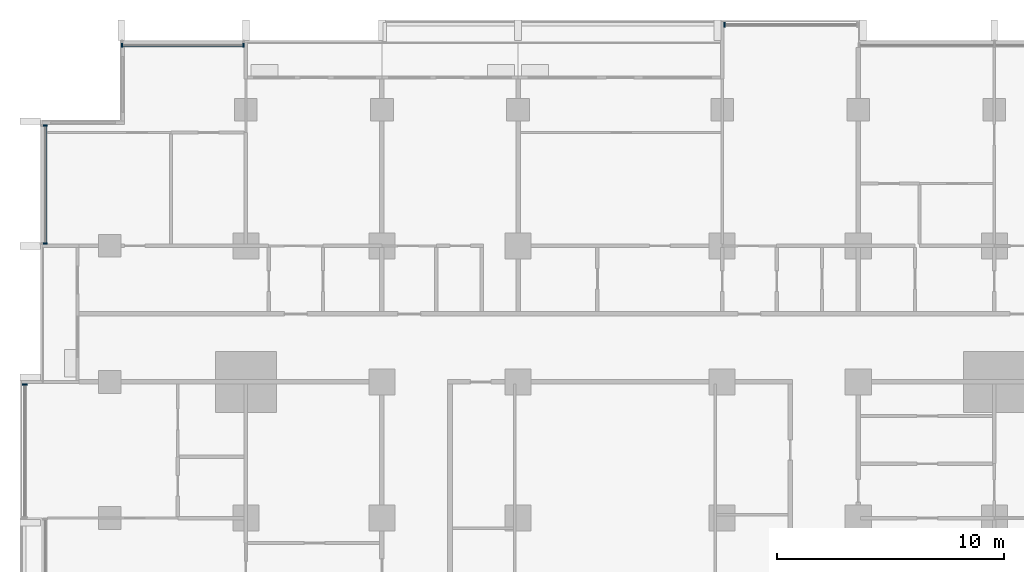
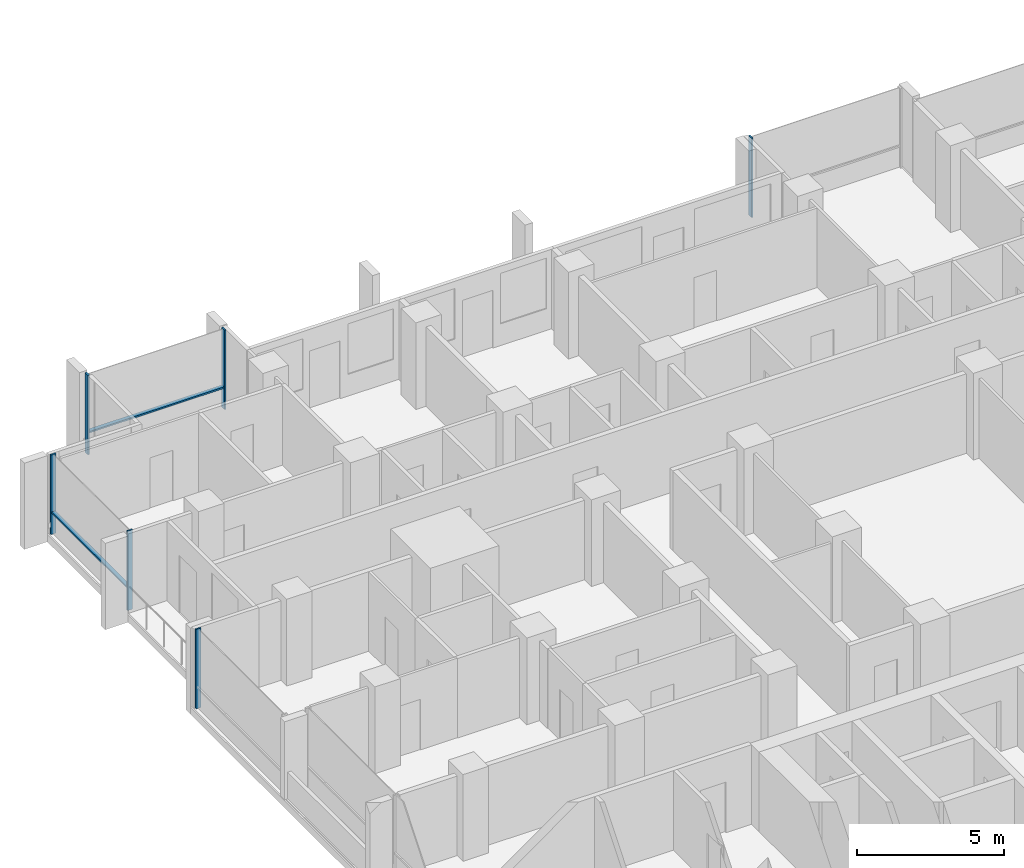
# One storey, part 4 of 18: 8 members, 4 elements without a shape of their own.
"""IFC4 building model written with IfcOpenShell, lengths in metres."""

from ifc_helpers import new_model, si_unit, direction, frame, origin, origin_2d, place, context, subcontext, project, spatial, rectangle, extrude, material, material_profile, profile_set, type_object, element, aggregate, save


model = new_model("IFC4")

# Units and contexts
model_context = context("Model", 3, precision=1e-05, world=origin(), true_north=direction((0.0, 1.0)))
body_context = subcontext(model_context, "Body", "Model", "MODEL_VIEW")
ifc_project = project(units=[si_unit("LENGTHUNIT", "METRE"), si_unit("AREAUNIT", "SQUARE_METRE"), si_unit("VOLUMEUNIT", "CUBIC_METRE"), si_unit("PLANEANGLEUNIT", "RADIAN"), si_unit("MASSUNIT", "GRAM", prefix="KILO")], contexts=[model_context])

# Site, building, storey
site_placement = place(None, origin())
site = spatial("IfcSite", under=ifc_project, at=site_placement, CompositionType="ELEMENT")
building_placement = place(site_placement, origin())
building = spatial("IfcBuilding", under=site, at=building_placement, Name="Finial Court Residences", CompositionType="ELEMENT")
storey_placement = place(building_placement, frame((0.0, 0.0, 109.89990234375)))
storey = spatial("IfcBuildingStorey", under=building, at=storey_placement, Name="L27", CompositionType="ELEMENT", Elevation=109.89990234375)

# Curtain wall, members
ifc_material = material(Name="Bronze anodised aluminium", Category="aluminium")
curtain_wall_type = type_object("IfcCurtainWallType", Name="Unitised curtain wall, lower and middle zones", PredefinedType="NOTDEFINED", material=ifc_material)
curtain_wall_1_placement = place(storey_placement, origin())
curtain_wall_1 = element("IfcCurtainWall", 1, at=curtain_wall_1_placement, inside=storey, type_object=curtain_wall_type, Name="E-L27-CW-N1", PredefinedType="NOTDEFINED")
ifc_material_profile_1 = material_profile(ifc_material, rectangle(XDim=0.199951171875, YDim=0.06494140625, at=origin_2d()), Name="CW1 mullion 65 x 200")
ifc_profile_set_1 = profile_set([ifc_material_profile_1], Name="Bronze anodised aluminium")
member_type_1 = type_object("IfcMemberType", Name="CW1 mullion 65 x 200", PredefinedType="MULLION", material=ifc_profile_set_1)
member_1_placement = place(storey_placement, frame((-21.967529296875, 22.35009765625, 0.0), z_axis=(0.0, 0.0, 1.0), x_axis=(0.0, 1.0, 0.0)))
member_1 = element("IfcMember", 2, at=member_1_placement, type_object=member_type_1, Name="CW1 mullion 1", PredefinedType="MULLION", context=body_context, shape_type="SweptSolid", body=[
    extrude(rectangle(XDim=0.199951171875, YDim=0.06494140625, at=origin_2d()), origin(), (0.0, 0.0, 1.0), 3.300048828125),
])
member_2_placement = place(storey_placement, frame((-16.607421875, 22.35009765625, 0.0), z_axis=(0.0, 0.0, 1.0), x_axis=(0.0, 1.0, 0.0)))
member_2 = element("IfcMember", 3, at=member_2_placement, type_object=member_type_1, Name="CW1 mullion 2", PredefinedType="MULLION", context=body_context, shape_type="SweptSolid", body=[
    extrude(rectangle(XDim=0.199951171875, YDim=0.06494140625, at=origin_2d()), origin(), (0.0, 0.0, 1.0), 3.300048828125),
])

# Curtain wall, member
curtain_wall_2_placement = place(storey_placement, origin())
curtain_wall_2 = element("IfcCurtainWall", 4, at=curtain_wall_2_placement, inside=storey, type_object=curtain_wall_type, Name="E-L27-CW-N2", PredefinedType="NOTDEFINED")
member_3_placement = place(storey_placement, frame((4.607421875, 23.25, 0.0), z_axis=(0.0, 0.0, 1.0), x_axis=(0.0, 1.0, 0.0)))
member_3 = element("IfcMember", 5, at=member_3_placement, type_object=member_type_1, Name="CW1 mullion 1", PredefinedType="MULLION", context=body_context, shape_type="SweptSolid", body=[
    extrude(rectangle(XDim=0.199951171875, YDim=0.06494140625, at=origin_2d()), origin(), (0.0, 0.0, 1.0), 3.300048828125),
])
aggregate(curtain_wall_2, [member_3])

curtain_wall_3_placement = place(storey_placement, origin())
curtain_wall_3 = element("IfcCurtainWall", 6, at=curtain_wall_3_placement, inside=storey, type_object=curtain_wall_type, Name="E-L27-CW-W10", PredefinedType="NOTDEFINED")
member_4_placement = place(storey_placement, frame((-26.25, 7.392578125, 0.0), z_axis=(0.0, 0.0, 1.0), x_axis=(-1.0, 0.0, 0.0)))
member_4 = element("IfcMember", 7, at=member_4_placement, type_object=member_type_1, Name="CW1 mullion 2", PredefinedType="MULLION", context=body_context, shape_type="SweptSolid", body=[
    extrude(rectangle(XDim=0.199951171875, YDim=0.06494140625, at=origin_2d()), origin(), (0.0, 0.0, 1.0), 3.300048828125),
])
aggregate(curtain_wall_3, [member_4])

# Curtain wall, members
curtain_wall_4_placement = place(storey_placement, origin())
curtain_wall_4 = element("IfcCurtainWall", 8, at=curtain_wall_4_placement, inside=storey, type_object=curtain_wall_type, Name="E-L27-CW-W11", PredefinedType="NOTDEFINED")
member_5_placement = place(storey_placement, frame((-25.35009765625, 13.607421875, 0.0), z_axis=(0.0, 0.0, 1.0), x_axis=(-1.0, 0.0, 0.0)))
member_5 = element("IfcMember", 9, at=member_5_placement, type_object=member_type_1, Name="CW1 mullion 1", PredefinedType="MULLION", context=body_context, shape_type="SweptSolid", body=[
    extrude(rectangle(XDim=0.199951171875, YDim=0.06494140625, at=origin_2d()), origin(), (0.0, 0.0, 1.0), 3.300048828125),
])
member_6_placement = place(storey_placement, frame((-25.35009765625, 18.8173828125, 0.0), z_axis=(0.0, 0.0, 1.0), x_axis=(-1.0, 0.0, 0.0)))
member_6 = element("IfcMember", 10, at=member_6_placement, type_object=member_type_1, Name="CW1 mullion 2", PredefinedType="MULLION", context=body_context, shape_type="SweptSolid", body=[
    extrude(rectangle(XDim=0.199951171875, YDim=0.06494140625, at=origin_2d()), origin(), (0.0, 0.0, 1.0), 3.300048828125),
])

# Member
ifc_material_profile_2 = material_profile(ifc_material, rectangle(XDim=0.14990234375, YDim=0.06494140625, at=origin_2d()), Name="CW1 transom 65 x 150")
ifc_profile_set_2 = profile_set([ifc_material_profile_2], Name="Bronze anodised aluminium")
member_type_2 = type_object("IfcMemberType", Name="CW1 transom 65 x 150", PredefinedType="USERDEFINED", material=ifc_profile_set_2)
member_7_placement = place(storey_placement, frame((-21.93505859375, 22.35009765625, 0.900146484375), z_axis=(1.0, 0.0, 0.0), x_axis=(0.0, 1.0, 0.0)))
member_7 = element("IfcMember", 11, at=member_7_placement, type_object=member_type_2, Name="CW1 transom 1.1", ObjectType="TRANSOM", PredefinedType="USERDEFINED", context=body_context, shape_type="SweptSolid", body=[
    extrude(rectangle(XDim=0.14990234375, YDim=0.06494140625, at=origin_2d()), origin(), (0.0, 0.0, 1.0), 5.295166015625),
])

aggregate(curtain_wall_1, [member_1, member_2, member_7])

member_8_placement = place(storey_placement, frame((-25.35009765625, 13.639892578125, 0.900146484375), z_axis=(0.0, 1.0, 0.0), x_axis=(-1.0, 0.0, 0.0)))
member_8 = element("IfcMember", 12, at=member_8_placement, type_object=member_type_2, Name="CW1 transom 1.1", ObjectType="TRANSOM", PredefinedType="USERDEFINED", context=body_context, shape_type="SweptSolid", body=[
    extrude(rectangle(XDim=0.14990234375, YDim=0.06494140625, at=origin_2d()), origin(), (0.0, 0.0, 1.0), 5.14501953125),
])

aggregate(curtain_wall_4, [member_5, member_6, member_8])

save(model, "model.ifc")
